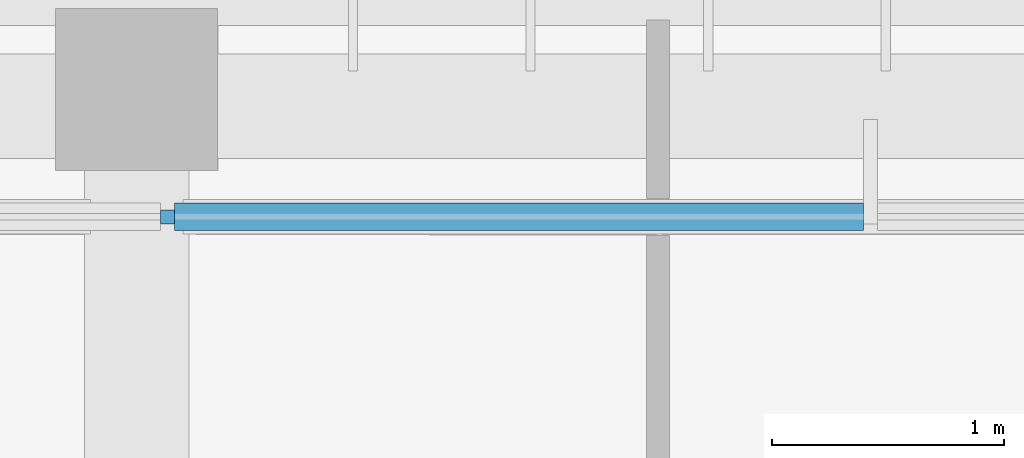
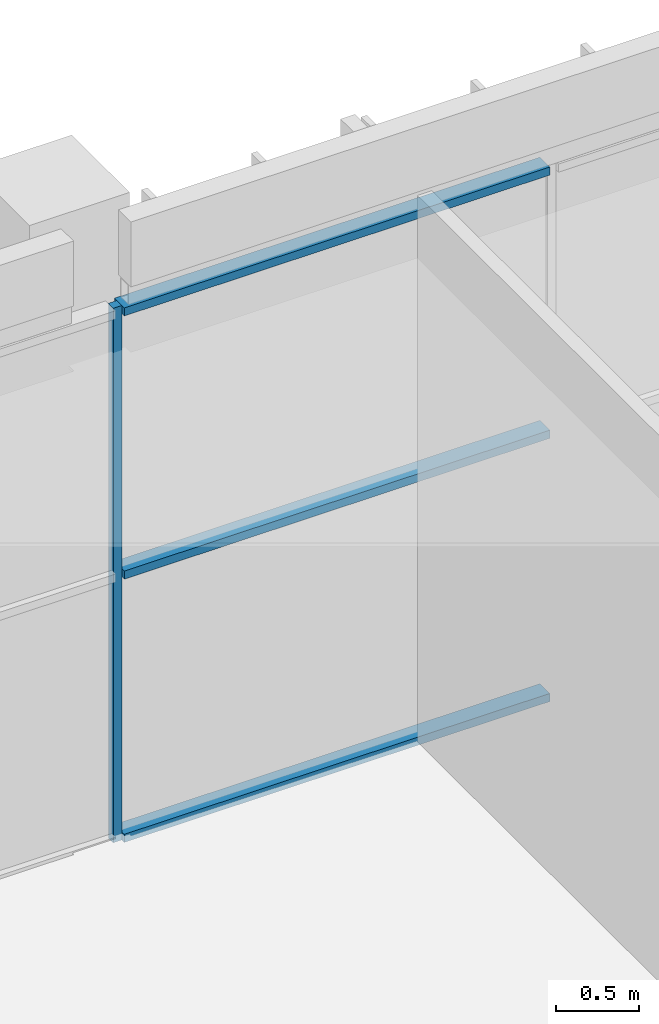
# One storey, part 26 of 73: 4 members, 1 element without a shape of its own.
"""IFC4 building model written with IfcOpenShell, lengths in metres."""

from ifc_helpers import new_model, si_unit, direction, frame, origin, origin_2d, place, context, subcontext, project, spatial, rectangle, extrude, material, material_profile, profile_set, type_object, element, aggregate, save


model = new_model("IFC4")

# Units and contexts
model_context = context("Model", 3, precision=1e-05, world=origin(), true_north=direction((0.0, 1.0)))
body_context = subcontext(model_context, "Body", "Model", "MODEL_VIEW")
ifc_project = project(units=[si_unit("LENGTHUNIT", "METRE"), si_unit("AREAUNIT", "SQUARE_METRE"), si_unit("VOLUMEUNIT", "CUBIC_METRE"), si_unit("PLANEANGLEUNIT", "RADIAN"), si_unit("MASSUNIT", "GRAM", prefix="KILO")], contexts=[model_context])

# Site, building, storey
site_placement = place(None, origin())
site = spatial("IfcSite", under=ifc_project, at=site_placement, CompositionType="ELEMENT")
building_placement = place(site_placement, origin())
building = spatial("IfcBuilding", under=site, at=building_placement, Name="Lantern Court Media Centre", CompositionType="ELEMENT")
storey_placement = place(building_placement, frame((0.0, 0.0, 24.0)))
storey = spatial("IfcBuildingStorey", under=building, at=storey_placement, Name="L05", CompositionType="ELEMENT", Elevation=24.0)

# Curtain wall, members
ifc_material_1 = material(Name="Curtain wall bay 3000")
curtain_wall_type = type_object("IfcCurtainWallType", Name="Curtain wall bay 3000", PredefinedType="NOTDEFINED", material=ifc_material_1)
curtain_wall_placement = place(storey_placement, origin())
curtain_wall = element("IfcCurtainWall", 1, at=curtain_wall_placement, inside=storey, type_object=curtain_wall_type, Name="Curtain wall N outer L05", PredefinedType="NOTDEFINED")
ifc_material_2 = material(Name="Anodised aluminium", Category="aluminium")
ifc_material_profile_1 = material_profile(ifc_material_2, rectangle(XDim=0.06005859375, YDim=0.06005859375, at=origin_2d()), Name="AL 60x60")
ifc_profile_set_1 = profile_set([ifc_material_profile_1], Name="Anodised aluminium")
member_type_1 = type_object("IfcMemberType", Name="Curtain wall mullion 60x60", PredefinedType="MULLION", material=ifc_profile_set_1)
member_1_placement = place(storey_placement, frame((64.13330078125, 115.85009765625, 0.0), z_axis=(0.0, 0.0, 1.0), x_axis=(0.0, 1.0, 0.0)))
member_1 = element("IfcMember", 2, at=member_1_placement, type_object=member_type_1, Name="CW1 mullion 14", PredefinedType="MULLION", context=body_context, shape_type="SweptSolid", body=[
    extrude(rectangle(XDim=0.06005859375, YDim=0.06005859375, at=origin_2d()), origin(), (0.0, 0.0, 1.0), 3.949951171875),
])
ifc_material_profile_2 = material_profile(ifc_material_2, rectangle(XDim=0.1201171875, YDim=0.06005859375, at=origin_2d()), Name="AL 60x120")
ifc_profile_set_2 = profile_set([ifc_material_profile_2], Name="Anodised aluminium")
member_type_2 = type_object("IfcMemberType", Name="Curtain wall transom 60x120", PredefinedType="USERDEFINED", material=ifc_profile_set_2)
member_2_placement = place(storey_placement, frame((64.163330078125, 115.85009765625, 0.030029296875), z_axis=(1.0, 0.0, 0.0), x_axis=(0.0, 1.0, 0.0)))
member_2 = element("IfcMember", 3, at=member_2_placement, type_object=member_type_2, Name="CW1 transom 14.1", ObjectType="TRANSOM", PredefinedType="USERDEFINED", context=body_context, shape_type="SweptSolid", body=[
    extrude(rectangle(XDim=0.1201171875, YDim=0.06005859375, at=origin_2d()), origin(), (0.0, 0.0, 1.0), 2.973388671875),
])
member_3_placement = place(storey_placement, frame((64.163330078125, 115.85009765625, 1.97509765625), z_axis=(1.0, 0.0, 0.0), x_axis=(0.0, 1.0, 0.0)))
member_3 = element("IfcMember", 4, at=member_3_placement, type_object=member_type_2, Name="CW1 transom 14.2", ObjectType="TRANSOM", PredefinedType="USERDEFINED", context=body_context, shape_type="SweptSolid", body=[
    extrude(rectangle(XDim=0.1201171875, YDim=0.06005859375, at=origin_2d()), origin(), (0.0, 0.0, 1.0), 2.973388671875),
])
member_4_placement = place(storey_placement, frame((64.163330078125, 115.85009765625, 3.919921875), z_axis=(1.0, 0.0, 0.0), x_axis=(0.0, 1.0, 0.0)))
member_4 = element("IfcMember", 5, at=member_4_placement, type_object=member_type_2, Name="CW1 transom 14.3", ObjectType="TRANSOM", PredefinedType="USERDEFINED", context=body_context, shape_type="SweptSolid", body=[
    extrude(rectangle(XDim=0.1201171875, YDim=0.06005859375, at=origin_2d()), origin(), (0.0, 0.0, 1.0), 2.973388671875),
])
aggregate(curtain_wall, [member_1, member_2, member_3, member_4])

save(model, "model.ifc")
